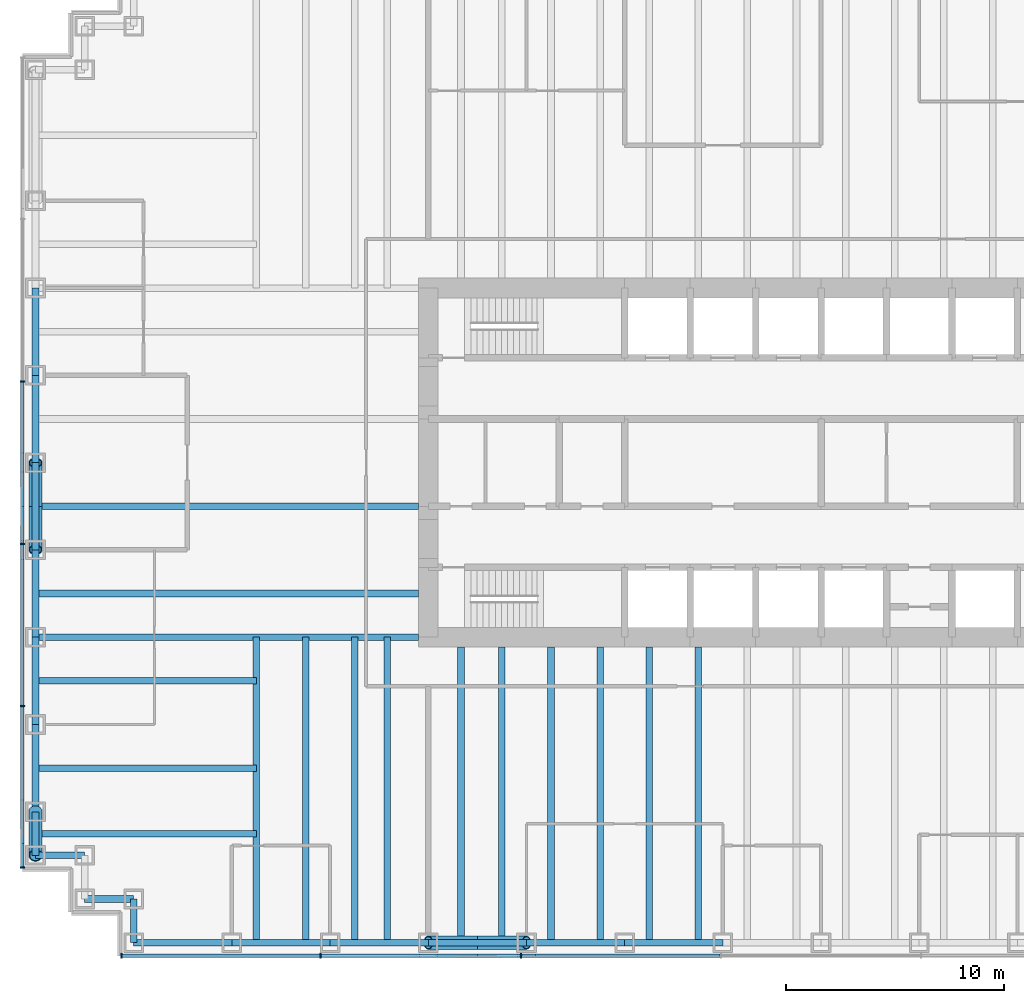
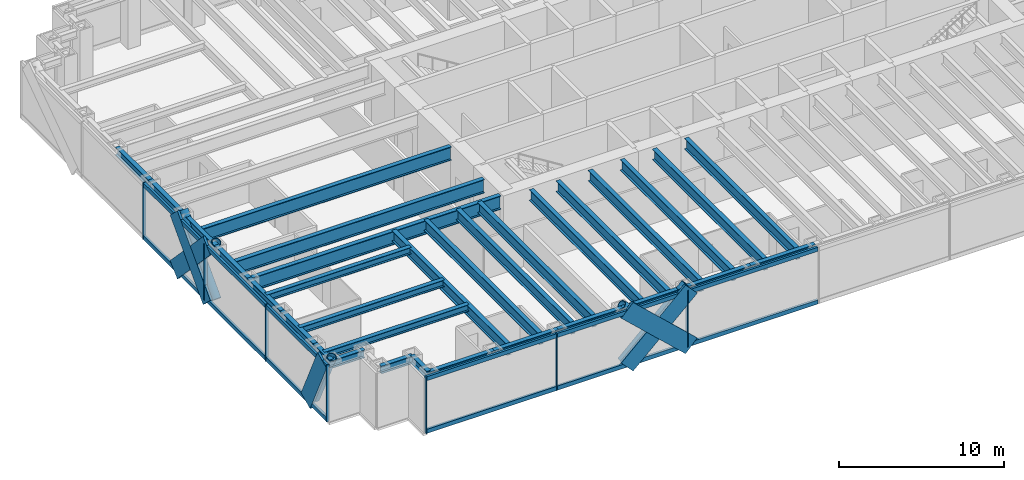
# One storey, part 2 of 17: 32 beams, 29 members, 2 elements without a shape of their own.
"""IFC4 building model written with IfcOpenShell, lengths in metres."""

from ifc_helpers import new_model, si_unit, direction, frame, origin, origin_2d, place, context, subcontext, project, spatial, rectangle, hollow_circle, i_section, extrude, material, material_profile, profile_set, type_object, element, aggregate, save


model = new_model("IFC4")

# Units and contexts
model_context = context("Model", 3, precision=1e-05, world=origin(), true_north=direction((0.0, 1.0)))
body_context = subcontext(model_context, "Body", "Model", "MODEL_VIEW")
ifc_project = project(units=[si_unit("LENGTHUNIT", "METRE"), si_unit("AREAUNIT", "SQUARE_METRE"), si_unit("VOLUMEUNIT", "CUBIC_METRE"), si_unit("PLANEANGLEUNIT", "RADIAN"), si_unit("MASSUNIT", "GRAM", prefix="KILO")], contexts=[model_context])

# Site, building, storey
site_placement = place(None, origin())
site = spatial("IfcSite", under=ifc_project, at=site_placement, CompositionType="ELEMENT")
building_placement = place(site_placement, origin())
building = spatial("IfcBuilding", under=site, at=building_placement, Name="Rheinbord Bourse Tower", CompositionType="ELEMENT")
storey_placement = place(building_placement, frame((0.0, 0.0, 138.300048828125)))
storey = spatial("IfcBuildingStorey", under=building, at=storey_placement, Name="L30", CompositionType="ELEMENT", Elevation=138.300048828125)

# Curtain wall, members
ifc_material_1 = material(Name="Dark glass and black aluminium", Category="aluminium")
curtain_wall_type = type_object("IfcCurtainWallType", Name="CW2 DARK GLASS CURTAIN WALL", PredefinedType="USERDEFINED", material=ifc_material_1)
curtain_wall_1_placement = place(storey_placement, origin())
curtain_wall_1 = element("IfcCurtainWall", 1, at=curtain_wall_1_placement, inside=storey, type_object=curtain_wall_type, Name="Curtain wall CW2 S L30", ObjectType="UNITISED CURTAIN WALL", PredefinedType="USERDEFINED")
ifc_material_2 = material(Name="Black anodised aluminium", Category="aluminium")
ifc_material_profile_1 = material_profile(ifc_material_2, rectangle(XDim=0.159912109375, YDim=1.2099609375, at=origin_2d()), Name="CW2 DIAGONAL MULLION 1210x160")
ifc_profile_set_1 = profile_set([ifc_material_profile_1], Name="Black anodised aluminium")
member_type_1 = type_object("IfcMemberType", Name="CW2 BLACK DIAGONAL MULLION", PredefinedType="USERDEFINED", material=ifc_profile_set_1)
member_1_placement = place(storey_placement, frame((18.0, 1.39990234375, 0.0), z_axis=(0.73105922506, 0.0, 0.682314010889), x_axis=(0.0, 1.0, 0.0)))
member_1 = element("IfcMember", 2, at=member_1_placement, type_object=member_type_1, Name="CW2 diagonal mullion a", ObjectType="DIAGONAL MULLION", PredefinedType="USERDEFINED", context=body_context, shape_type="SweptSolid", body=[
    extrude(rectangle(XDim=0.159912109375, YDim=1.2099609375, at=origin_2d()), origin(), (0.0, 0.0, 1.0), 6.155517578125),
])
member_2_placement = place(storey_placement, frame((22.5, 1.39990234375, 0.0), z_axis=(-0.73105922506, 0.0, 0.682314010889), x_axis=(0.0, -1.0, 0.0)))
member_2 = element("IfcMember", 3, at=member_2_placement, type_object=member_type_1, Name="CW2 diagonal mullion d", ObjectType="DIAGONAL MULLION", PredefinedType="USERDEFINED", context=body_context, shape_type="SweptSolid", body=[
    extrude(rectangle(XDim=0.159912109375, YDim=1.2099609375, at=origin_2d()), origin(), (0.0, 0.0, 1.0), 6.155517578125),
])

curtain_wall_2_placement = place(storey_placement, origin())
curtain_wall_2 = element("IfcCurtainWall", 4, at=curtain_wall_2_placement, inside=storey, type_object=curtain_wall_type, Name="Curtain wall CW2 W L30", ObjectType="UNITISED CURTAIN WALL", PredefinedType="USERDEFINED")
member_3_placement = place(storey_placement, frame((-0.60009765625, 24.0, 0.0), z_axis=(0.0, -0.689659376744, 0.724133926887), x_axis=(1.0, 0.0, 0.0)))
member_3 = element("IfcMember", 5, at=member_3_placement, type_object=member_type_1, Name="CW2 diagonal mullion a", ObjectType="DIAGONAL MULLION", PredefinedType="USERDEFINED", context=body_context, shape_type="SweptSolid", body=[
    extrude(rectangle(XDim=0.159912109375, YDim=1.2099609375, at=origin_2d()), origin(), (0.0, 0.0, 1.0), 5.800048828125),
])
member_4_placement = place(storey_placement, frame((-0.60009765625, 20.0, 0.0), z_axis=(0.0, 0.689659376744, 0.724133926887), x_axis=(-1.0, 0.0, 0.0)))
member_4 = element("IfcMember", 6, at=member_4_placement, type_object=member_type_1, Name="CW2 diagonal mullion b", ObjectType="DIAGONAL MULLION", PredefinedType="USERDEFINED", context=body_context, shape_type="SweptSolid", body=[
    extrude(rectangle(XDim=0.159912109375, YDim=1.2099609375, at=origin_2d()), origin(), (0.0, 0.0, 1.0), 5.800048828125),
])
member_5_placement = place(storey_placement, frame((-0.60009765625, 8.0, 0.0), z_axis=(0.0, -0.429937654825, 0.902858578607), x_axis=(1.0, 0.0, 0.0)))
member_5 = element("IfcMember", 7, at=member_5_placement, type_object=member_type_1, Name="CW2 diagonal mullion c", ObjectType="DIAGONAL MULLION", PredefinedType="USERDEFINED", context=body_context, shape_type="SweptSolid", body=[
    extrude(rectangle(XDim=0.159912109375, YDim=1.2099609375, at=origin_2d()), origin(), (0.0, 0.0, 1.0), 4.65185546875),
])

# Member
ifc_material_3 = material(Name="Black anodised aluminium", Category="aluminium")
ifc_material_profile_2 = material_profile(ifc_material_3, rectangle(XDim=0.219970703125, YDim=0.070068359375, at=origin_2d()), Name="CW2 MULLION 70x220")
ifc_profile_set_2 = profile_set([ifc_material_profile_2], Name="Black anodised aluminium")
member_type_2 = type_object("IfcMemberType", Name="CW2 BLACK MULLION", PredefinedType="MULLION", material=ifc_profile_set_2)
member_6_placement = place(storey_placement, frame((3.93505859375, 1.39990234375, 0.0), z_axis=(0.0, 0.0, 1.0), x_axis=(0.0, 1.0, 0.0)))
member_6 = element("IfcMember", 8, at=member_6_placement, type_object=member_type_2, Name="CW2 mullion 1", PredefinedType="MULLION", context=body_context, shape_type="SweptSolid", body=[
    extrude(rectangle(XDim=0.219970703125, YDim=0.070068359375, at=origin_2d()), origin(), (0.0, 0.0, 1.0), 4.199951171875),
])

member_7_placement = place(storey_placement, frame((13.071533203125, 1.39990234375, 0.0), z_axis=(0.0, 0.0, 1.0), x_axis=(0.0, 1.0, 0.0)))
member_7 = element("IfcMember", 9, at=member_7_placement, type_object=member_type_2, Name="CW2 mullion 2", PredefinedType="MULLION", context=body_context, shape_type="SweptSolid", body=[
    extrude(rectangle(XDim=0.219970703125, YDim=0.070068359375, at=origin_2d()), origin(), (0.0, 0.0, 1.0), 4.199951171875),
])

member_8_placement = place(storey_placement, frame((22.242919921875, 1.39990234375, 0.0), z_axis=(0.0, 0.0, 1.0), x_axis=(0.0, 1.0, 0.0)))
member_8 = element("IfcMember", 10, at=member_8_placement, type_object=member_type_2, Name="CW2 mullion 3", PredefinedType="MULLION", context=body_context, shape_type="SweptSolid", body=[
    extrude(rectangle(XDim=0.219970703125, YDim=0.070068359375, at=origin_2d()), origin(), (0.0, 0.0, 1.0), 4.199951171875),
])

member_9_placement = place(storey_placement, frame((-0.60009765625, 27.719970703125, 0.0), z_axis=(0.0, 0.0, 1.0), x_axis=(1.0, 0.0, 0.0)))
member_9 = element("IfcMember", 11, at=member_9_placement, type_object=member_type_2, Name="CW2 mullion 3", PredefinedType="MULLION", context=body_context, shape_type="SweptSolid", body=[
    extrude(rectangle(XDim=0.219970703125, YDim=0.070068359375, at=origin_2d()), origin(), (0.0, 0.0, 1.0), 4.199951171875),
])

member_10_placement = place(storey_placement, frame((-0.60009765625, 20.280029296875, 0.0), z_axis=(0.0, 0.0, 1.0), x_axis=(1.0, 0.0, 0.0)))
member_10 = element("IfcMember", 12, at=member_10_placement, type_object=member_type_2, Name="CW2 mullion 4", PredefinedType="MULLION", context=body_context, shape_type="SweptSolid", body=[
    extrude(rectangle(XDim=0.219970703125, YDim=0.070068359375, at=origin_2d()), origin(), (0.0, 0.0, 1.0), 4.199951171875),
])

member_11_placement = place(storey_placement, frame((-0.60009765625, 12.840087890625, 0.0), z_axis=(0.0, 0.0, 1.0), x_axis=(1.0, 0.0, 0.0)))
member_11 = element("IfcMember", 13, at=member_11_placement, type_object=member_type_2, Name="CW2 mullion 5", PredefinedType="MULLION", context=body_context, shape_type="SweptSolid", body=[
    extrude(rectangle(XDim=0.219970703125, YDim=0.070068359375, at=origin_2d()), origin(), (0.0, 0.0, 1.0), 4.199951171875),
])

member_12_placement = place(storey_placement, frame((-0.60009765625, 5.43505859375, 0.0), z_axis=(0.0, 0.0, 1.0), x_axis=(1.0, 0.0, 0.0)))
member_12 = element("IfcMember", 14, at=member_12_placement, type_object=member_type_2, Name="CW2 mullion 6", PredefinedType="MULLION", context=body_context, shape_type="SweptSolid", body=[
    extrude(rectangle(XDim=0.219970703125, YDim=0.070068359375, at=origin_2d()), origin(), (0.0, 0.0, 1.0), 4.199951171875),
])

ifc_material_4 = material(Name="Black anodised aluminium", Category="aluminium")
ifc_material_profile_3 = material_profile(ifc_material_4, rectangle(XDim=0.159912109375, YDim=0.300048828125, at=origin_2d()), Name="CW2 TRANSOM 300x160")
ifc_profile_set_3 = profile_set([ifc_material_profile_3], Name="Black anodised aluminium")
member_type_3 = type_object("IfcMemberType", Name="CW2 BLACK TRANSOM", PredefinedType="USERDEFINED", material=ifc_profile_set_3)
member_13_placement = place(storey_placement, frame((3.969970703125, 1.39990234375, 0.14990234375), z_axis=(1.0, 0.0, 0.0), x_axis=(0.0, 1.0, 0.0)))
member_13 = element("IfcMember", 15, at=member_13_placement, type_object=member_type_3, Name="CW2 transom 1.1", ObjectType="TRANSOM", PredefinedType="USERDEFINED", context=body_context, shape_type="SweptSolid", body=[
    extrude(rectangle(XDim=0.159912109375, YDim=0.300048828125, at=origin_2d()), origin(), (0.0, 0.0, 1.0), 9.06640625),
])

member_14_placement = place(storey_placement, frame((3.969970703125, 1.39990234375, 4.050048828125), z_axis=(1.0, 0.0, 0.0), x_axis=(0.0, 1.0, 0.0)))
member_14 = element("IfcMember", 16, at=member_14_placement, type_object=member_type_3, Name="CW2 transom 1.2", ObjectType="TRANSOM", PredefinedType="USERDEFINED", context=body_context, shape_type="SweptSolid", body=[
    extrude(rectangle(XDim=0.159912109375, YDim=0.300048828125, at=origin_2d()), origin(), (0.0, 0.0, 1.0), 9.06640625),
])

member_15_placement = place(storey_placement, frame((13.1064453125, 1.39990234375, 0.14990234375), z_axis=(1.0, 0.0, 0.0), x_axis=(0.0, 1.0, 0.0)))
member_15 = element("IfcMember", 17, at=member_15_placement, type_object=member_type_3, Name="CW2 transom 2.1", ObjectType="TRANSOM", PredefinedType="USERDEFINED", context=body_context, shape_type="SweptSolid", body=[
    extrude(rectangle(XDim=0.159912109375, YDim=0.300048828125, at=origin_2d()), origin(), (0.0, 0.0, 1.0), 9.101318359375),
])

member_16_placement = place(storey_placement, frame((13.1064453125, 1.39990234375, 4.050048828125), z_axis=(1.0, 0.0, 0.0), x_axis=(0.0, 1.0, 0.0)))
member_16 = element("IfcMember", 18, at=member_16_placement, type_object=member_type_3, Name="CW2 transom 2.2", ObjectType="TRANSOM", PredefinedType="USERDEFINED", context=body_context, shape_type="SweptSolid", body=[
    extrude(rectangle(XDim=0.159912109375, YDim=0.300048828125, at=origin_2d()), origin(), (0.0, 0.0, 1.0), 9.101318359375),
])

member_17_placement = place(storey_placement, frame((22.27783203125, 1.39990234375, 0.14990234375), z_axis=(1.0, 0.0, 0.0), x_axis=(0.0, 1.0, 0.0)))
member_17 = element("IfcMember", 19, at=member_17_placement, type_object=member_type_3, Name="CW2 transom 3.1", ObjectType="TRANSOM", PredefinedType="USERDEFINED", context=body_context, shape_type="SweptSolid", body=[
    extrude(rectangle(XDim=0.159912109375, YDim=0.300048828125, at=origin_2d()), origin(), (0.0, 0.0, 1.0), 9.1015625),
])

member_18_placement = place(storey_placement, frame((22.27783203125, 1.39990234375, 4.050048828125), z_axis=(1.0, 0.0, 0.0), x_axis=(0.0, 1.0, 0.0)))
member_18 = element("IfcMember", 20, at=member_18_placement, type_object=member_type_3, Name="CW2 transom 3.2", ObjectType="TRANSOM", PredefinedType="USERDEFINED", context=body_context, shape_type="SweptSolid", body=[
    extrude(rectangle(XDim=0.159912109375, YDim=0.300048828125, at=origin_2d()), origin(), (0.0, 0.0, 1.0), 9.1015625),
])

aggregate(curtain_wall_1, [member_6, member_7, member_8, member_13, member_14, member_15, member_16, member_17, member_18, member_1, member_2])

member_19_placement = place(storey_placement, frame((-0.60009765625, 27.68505859375, 0.14990234375), z_axis=(0.0, -1.0, 0.0), x_axis=(1.0, 0.0, 0.0)))
member_19 = element("IfcMember", 21, at=member_19_placement, type_object=member_type_3, Name="CW2 transom 3.1", ObjectType="TRANSOM", PredefinedType="USERDEFINED", context=body_context, shape_type="SweptSolid", body=[
    extrude(rectangle(XDim=0.159912109375, YDim=0.300048828125, at=origin_2d()), origin(), (0.0, 0.0, 1.0), 7.3701171875),
])

member_20_placement = place(storey_placement, frame((-0.60009765625, 27.68505859375, 4.050048828125), z_axis=(0.0, -1.0, 0.0), x_axis=(1.0, 0.0, 0.0)))
member_20 = element("IfcMember", 22, at=member_20_placement, type_object=member_type_3, Name="CW2 transom 3.2", ObjectType="TRANSOM", PredefinedType="USERDEFINED", context=body_context, shape_type="SweptSolid", body=[
    extrude(rectangle(XDim=0.159912109375, YDim=0.300048828125, at=origin_2d()), origin(), (0.0, 0.0, 1.0), 7.3701171875),
])

member_21_placement = place(storey_placement, frame((-0.60009765625, 20.2451171875, 0.14990234375), z_axis=(0.0, -1.0, 0.0), x_axis=(1.0, 0.0, 0.0)))
member_21 = element("IfcMember", 23, at=member_21_placement, type_object=member_type_3, Name="CW2 transom 4.1", ObjectType="TRANSOM", PredefinedType="USERDEFINED", context=body_context, shape_type="SweptSolid", body=[
    extrude(rectangle(XDim=0.159912109375, YDim=0.300048828125, at=origin_2d()), origin(), (0.0, 0.0, 1.0), 7.3701171875),
])

member_22_placement = place(storey_placement, frame((-0.60009765625, 20.2451171875, 4.050048828125), z_axis=(0.0, -1.0, 0.0), x_axis=(1.0, 0.0, 0.0)))
member_22 = element("IfcMember", 24, at=member_22_placement, type_object=member_type_3, Name="CW2 transom 4.2", ObjectType="TRANSOM", PredefinedType="USERDEFINED", context=body_context, shape_type="SweptSolid", body=[
    extrude(rectangle(XDim=0.159912109375, YDim=0.300048828125, at=origin_2d()), origin(), (0.0, 0.0, 1.0), 7.3701171875),
])

member_23_placement = place(storey_placement, frame((-0.60009765625, 12.804931640625, 0.14990234375), z_axis=(0.0, -1.0, 0.0), x_axis=(1.0, 0.0, 0.0)))
member_23 = element("IfcMember", 25, at=member_23_placement, type_object=member_type_3, Name="CW2 transom 5.1", ObjectType="TRANSOM", PredefinedType="USERDEFINED", context=body_context, shape_type="SweptSolid", body=[
    extrude(rectangle(XDim=0.159912109375, YDim=0.300048828125, at=origin_2d()), origin(), (0.0, 0.0, 1.0), 7.3349609375),
])

member_24_placement = place(storey_placement, frame((-0.60009765625, 12.804931640625, 4.050048828125), z_axis=(0.0, -1.0, 0.0), x_axis=(1.0, 0.0, 0.0)))
member_24 = element("IfcMember", 26, at=member_24_placement, type_object=member_type_3, Name="CW2 transom 5.2", ObjectType="TRANSOM", PredefinedType="USERDEFINED", context=body_context, shape_type="SweptSolid", body=[
    extrude(rectangle(XDim=0.159912109375, YDim=0.300048828125, at=origin_2d()), origin(), (0.0, 0.0, 1.0), 7.3349609375),
])

aggregate(curtain_wall_2, [member_9, member_10, member_11, member_12, member_19, member_20, member_21, member_22, member_23, member_24, member_3, member_4, member_5])

# Beams
ifc_material_5 = material(Name="Steel S460", Category="steel")
ifc_material_profile_4 = material_profile(ifc_material_5, i_section(OverallWidth=0.302001953125, OverallDepth=1.008056640625, WebThickness=0.02099609375, FlangeThickness=0.0400390625, at=origin_2d()), Name="HEM 1000")
ifc_profile_set_4 = profile_set([ifc_material_profile_4], Name="Steel S460")
beam_type_1 = type_object("IfcBeamType", Name="END BEAM HEM 1000", PredefinedType="BEAM", material=ifc_profile_set_4)
for number, where, z_axis, x_axis, name in (
    (27, (0.0, 18.0, 3.535888671875), (1.0, 0.0, 0.0), (0.0, 1.0, 0.0), "End beam west 18 L31"),
    (28, (0.0, 22.0, 3.535888671875), (1.0, 0.0, 0.0), (0.0, 1.0, 0.0), "End beam west 22 L31"),
):
    element("IfcBeam", number, at=place(storey_placement, frame(where, z_axis=z_axis, x_axis=x_axis)), inside=storey, type_object=beam_type_1, Name=name, PredefinedType="BEAM", context=body_context, shape_type="SweptSolid", body=[
        extrude(i_section(OverallWidth=0.302001953125, OverallDepth=1.008056640625, WebThickness=0.02099609375, FlangeThickness=0.0400390625, at=origin_2d()), origin(), (0.0, 0.0, 1.0), 17.550048828125),
    ])
ifc_material_6 = material(Name="Steel S460", Category="steel")
ifc_material_profile_5 = material_profile(ifc_material_6, i_section(OverallWidth=0.300048828125, OverallDepth=0.800048828125, WebThickness=0.017578125, FlangeThickness=0.032958984375, at=origin_2d()), Name="HEB 800")
ifc_profile_set_5 = profile_set([ifc_material_profile_5], Name="Steel S460")
beam_type_2 = type_object("IfcBeamType", Name="FLOOR BEAM HEB 800", PredefinedType="BEAM", material=ifc_profile_set_5)
for number, where, z_axis, x_axis, name in (
    (29, (10.125, 2.0, 3.639892578125), (0.0, 1.0, 0.0), (-1.0, 0.0, 0.0), "Floor beam S-9a L31"),
    (30, (12.375, 2.0, 3.639892578125), (0.0, 1.0, 0.0), (-1.0, 0.0, 0.0), "Floor beam S-9b L31"),
    (31, (14.625, 2.0, 3.639892578125), (0.0, 1.0, 0.0), (-1.0, 0.0, 0.0), "Floor beam S-13.5a L31"),
    (32, (16.125, 2.0, 3.639892578125), (0.0, 1.0, 0.0), (-1.0, 0.0, 0.0), "Floor beam S-13.5b L31"),
):
    element("IfcBeam", number, at=place(storey_placement, frame(where, z_axis=z_axis, x_axis=x_axis)), inside=storey, type_object=beam_type_2, Name=name, PredefinedType="BEAM", context=body_context, shape_type="SweptSolid", body=[
        extrude(i_section(OverallWidth=0.300048828125, OverallDepth=0.800048828125, WebThickness=0.017578125, FlangeThickness=0.032958984375, at=origin_2d()), origin(), (0.0, 0.0, 1.0), 14.0),
    ])
for number, where, z_axis, x_axis, name in (
    (33, (19.5, 2.0, 3.639892578125), (0.0, 1.0, 0.0), (-1.0, 0.0, 0.0), "Floor beam S-18a L31"),
    (34, (21.375, 2.0, 3.639892578125), (0.0, 1.0, 0.0), (-1.0, 0.0, 0.0), "Floor beam S-18b L31"),
    (35, (23.625, 2.0, 3.639892578125), (0.0, 1.0, 0.0), (-1.0, 0.0, 0.0), "Floor beam S-22.5a L31"),
    (36, (25.875, 2.0, 3.639892578125), (0.0, 1.0, 0.0), (-1.0, 0.0, 0.0), "Floor beam S-22.5b L31"),
    (37, (28.125, 2.0, 3.639892578125), (0.0, 1.0, 0.0), (-1.0, 0.0, 0.0), "Floor beam S-27a L31"),
    (38, (30.375, 2.0, 3.639892578125), (0.0, 1.0, 0.0), (-1.0, 0.0, 0.0), "Floor beam S-27b L31"),
):
    element("IfcBeam", number, at=place(storey_placement, frame(where, z_axis=z_axis, x_axis=x_axis)), inside=storey, type_object=beam_type_2, Name=name, PredefinedType="BEAM", context=body_context, shape_type="SweptSolid", body=[
        extrude(i_section(OverallWidth=0.300048828125, OverallDepth=0.800048828125, WebThickness=0.017578125, FlangeThickness=0.032958984375, at=origin_2d()), origin(), (0.0, 0.0, 1.0), 13.550048828125),
    ])
ifc_material_7 = material(Name="Steel S460", Category="steel")
ifc_material_profile_6 = material_profile(ifc_material_7, i_section(OverallWidth=0.302001953125, OverallDepth=1.008056640625, WebThickness=0.02099609375, FlangeThickness=0.0400390625, at=origin_2d()), Name="HEM 1000")
ifc_profile_set_6 = profile_set([ifc_material_profile_6], Name="Steel S460")
beam_type_3 = type_object("IfcBeamType", Name="GIRDER HEM 1000", PredefinedType="BEAM", material=ifc_profile_set_6)
beam_1_placement = place(storey_placement, frame((0.0, 16.0, 3.535888671875), z_axis=(1.0, 0.0, 0.0), x_axis=(0.0, 1.0, 0.0)))
element("IfcBeam", 39, at=beam_1_placement, inside=storey, type_object=beam_type_3, Name="Girder west 16 L31", PredefinedType="BEAM", context=body_context, shape_type="SweptSolid", body=[
    extrude(i_section(OverallWidth=0.302001953125, OverallDepth=1.008056640625, WebThickness=0.02099609375, FlangeThickness=0.0400390625, at=origin_2d()), origin(), (0.0, 0.0, 1.0), 17.550048828125),
])

# Members
ifc_material_8 = material(Name="Steel S460", Category="steel")
ifc_material_profile_7 = material_profile(ifc_material_8, hollow_circle(Radius=0.304931640625, WallThickness=0.0400390625, at=origin_2d()), Name="CHS 610x40")
ifc_profile_set_7 = profile_set([ifc_material_profile_7], Name="Steel S460")
member_type_4 = type_object("IfcMemberType", Name="MEGABRACE CHS 610x40", PredefinedType="BRACE", material=ifc_profile_set_7)
for number, where, z_axis, x_axis, name in (
    (40, (18.0, 2.0, 0.0), (0.73105922506, 0.0, 0.682314010889), (0.0, 1.0, 0.0), "Megabrace S face line a L30"),
    (41, (22.5, 2.0, 0.0), (-0.73105922506, 0.0, 0.682314010889), (0.0, -1.0, 0.0), "Megabrace S face line d L30"),
):
    element("IfcMember", number, at=place(storey_placement, frame(where, z_axis=z_axis, x_axis=x_axis)), inside=storey, type_object=member_type_4, Name=name, PredefinedType="BRACE", context=body_context, shape_type="SweptSolid", body=[
        extrude(hollow_circle(Radius=0.304931640625, WallThickness=0.0400390625, at=origin_2d()), origin(), (0.0, 0.0, 1.0), 6.155517578125),
    ])
for number, where, z_axis, x_axis, name in (
    (42, (0.0, 24.0, 0.0), (0.0, -0.689659376744, 0.724133926887), (1.0, 0.0, 0.0), "Megabrace W face line a L30"),
    (43, (0.0, 20.0, 0.0), (0.0, 0.689659376744, 0.724133926887), (-1.0, 0.0, 0.0), "Megabrace W face line b L30"),
):
    element("IfcMember", number, at=place(storey_placement, frame(where, z_axis=z_axis, x_axis=x_axis)), inside=storey, type_object=member_type_4, Name=name, PredefinedType="BRACE", context=body_context, shape_type="SweptSolid", body=[
        extrude(hollow_circle(Radius=0.304931640625, WallThickness=0.0400390625, at=origin_2d()), origin(), (0.0, 0.0, 1.0), 5.800048828125),
    ])
member_25_placement = place(storey_placement, frame((0.0, 8.0, 0.0), z_axis=(0.0, -0.429937654825, 0.902858578607), x_axis=(1.0, 0.0, 0.0)))
element("IfcMember", 44, at=member_25_placement, inside=storey, type_object=member_type_4, Name="Megabrace W face line c L30", PredefinedType="BRACE", context=body_context, shape_type="SweptSolid", body=[
    extrude(hollow_circle(Radius=0.304931640625, WallThickness=0.0400390625, at=origin_2d()), origin(), (0.0, 0.0, 1.0), 4.65185546875),
])

# Beams
ifc_material_9 = material(Name="Steel S460", Category="steel")
ifc_material_profile_8 = material_profile(ifc_material_9, i_section(OverallWidth=0.305908203125, OverallDepth=0.572021484375, WebThickness=0.02099609375, FlangeThickness=0.0400390625, at=origin_2d()), Name="HEM 550")
ifc_profile_set_8 = profile_set([ifc_material_profile_8], Name="Steel S460")
beam_type_4 = type_object("IfcBeamType", Name="SPANDREL HEM 550", PredefinedType="SPANDREL", material=ifc_profile_set_8)
for number, where, z_axis, x_axis, name in (
    (45, (4.5, 2.0, 3.75390625), (1.0, 0.0, 0.0), (0.0, 1.0, 0.0), "Spandrel SW-E-S-9 under L31"),
    (46, (9.0, 2.0, 3.75390625), (1.0, 0.0, 0.0), (0.0, 1.0, 0.0), "Spandrel S-9-S-13.5 under L31"),
    (47, (13.5, 2.0, 3.75390625), (1.0, 0.0, 0.0), (0.0, 1.0, 0.0), "Spandrel S-13.5-S-18 under L31"),
    (48, (18.0, 2.0, 3.75390625), (1.0, 0.0, 0.0), (0.0, 1.0, 0.0), "Spandrel S-18-S-22.5 under L31"),
    (49, (22.5, 2.0, 3.75390625), (1.0, 0.0, 0.0), (0.0, 1.0, 0.0), "Spandrel S-22.5-S-27 under L31"),
    (50, (27.0, 2.0, 3.75390625), (1.0, 0.0, 0.0), (0.0, 1.0, 0.0), "Spandrel S-27-S-31.5 under L31"),
):
    element("IfcBeam", number, at=place(storey_placement, frame(where, z_axis=z_axis, x_axis=x_axis)), inside=storey, type_object=beam_type_4, Name=name, PredefinedType="SPANDREL", context=body_context, shape_type="SweptSolid", body=[
        extrude(i_section(OverallWidth=0.305908203125, OverallDepth=0.572021484375, WebThickness=0.02099609375, FlangeThickness=0.0400390625, at=origin_2d()), origin(), (0.0, 0.0, 1.0), 4.5),
    ])
for number, where, z_axis, x_axis, name in (
    (51, (0.0, 32.0, 3.75390625), (0.0, -1.0, 0.0), (1.0, 0.0, 0.0), "Spandrel W-32-W-28 under L31"),
    (52, (0.0, 28.0, 3.75390625), (0.0, -1.0, 0.0), (1.0, 0.0, 0.0), "Spandrel W-28-W-24 under L31"),
    (53, (0.0, 24.0, 3.75390625), (0.0, -1.0, 0.0), (1.0, 0.0, 0.0), "Spandrel W-24-W-20 under L31"),
    (54, (0.0, 20.0, 3.75390625), (0.0, -1.0, 0.0), (1.0, 0.0, 0.0), "Spandrel W-20-W-16 under L31"),
    (55, (0.0, 16.0, 3.75390625), (0.0, -1.0, 0.0), (1.0, 0.0, 0.0), "Spandrel W-16-W-12 under L31"),
    (56, (0.0, 12.0, 3.75390625), (0.0, -1.0, 0.0), (1.0, 0.0, 0.0), "Spandrel W-12-W-8 under L31"),
):
    element("IfcBeam", number, at=place(storey_placement, frame(where, z_axis=z_axis, x_axis=x_axis)), inside=storey, type_object=beam_type_4, Name=name, PredefinedType="SPANDREL", context=body_context, shape_type="SweptSolid", body=[
        extrude(i_section(OverallWidth=0.305908203125, OverallDepth=0.572021484375, WebThickness=0.02099609375, FlangeThickness=0.0400390625, at=origin_2d()), origin(), (0.0, 0.0, 1.0), 4.0),
    ])
beam_2_placement = place(storey_placement, frame((0.0, 8.0, 3.75390625), z_axis=(0.0, -1.0, 0.0), x_axis=(1.0, 0.0, 0.0)))
element("IfcBeam", 57, at=beam_2_placement, inside=storey, type_object=beam_type_4, Name="Spandrel W-8-SW-A under L31", PredefinedType="SPANDREL", context=body_context, shape_type="SweptSolid", body=[
    extrude(i_section(OverallWidth=0.305908203125, OverallDepth=0.572021484375, WebThickness=0.02099609375, FlangeThickness=0.0400390625, at=origin_2d()), origin(), (0.0, 0.0, 1.0), 2.0),
])
for number, where, z_axis, x_axis, name in (
    (58, (0.0, 6.0, 3.75390625), (1.0, 0.0, 0.0), (0.0, 1.0, 0.0), "Spandrel SW-A-SW-B under L31"),
    (59, (2.25, 4.0, 3.75390625), (1.0, 0.0, 0.0), (0.0, 1.0, 0.0), "Spandrel SW-C-SW-D under L31"),
):
    element("IfcBeam", number, at=place(storey_placement, frame(where, z_axis=z_axis, x_axis=x_axis)), inside=storey, type_object=beam_type_4, Name=name, PredefinedType="SPANDREL", context=body_context, shape_type="SweptSolid", body=[
        extrude(i_section(OverallWidth=0.305908203125, OverallDepth=0.572021484375, WebThickness=0.02099609375, FlangeThickness=0.0400390625, at=origin_2d()), origin(), (0.0, 0.0, 1.0), 2.25),
    ])
beam_3_placement = place(storey_placement, frame((4.5, 4.0, 3.75390625), z_axis=(0.0, -1.0, 0.0), x_axis=(1.0, 0.0, 0.0)))
element("IfcBeam", 60, at=beam_3_placement, inside=storey, type_object=beam_type_4, Name="Spandrel SW-D-SW-E under L31", PredefinedType="SPANDREL", context=body_context, shape_type="SweptSolid", body=[
    extrude(i_section(OverallWidth=0.305908203125, OverallDepth=0.572021484375, WebThickness=0.02099609375, FlangeThickness=0.0400390625, at=origin_2d()), origin(), (0.0, 0.0, 1.0), 2.0),
])
ifc_material_10 = material(Name="Steel S460", Category="steel")
ifc_material_profile_9 = material_profile(ifc_material_10, i_section(OverallWidth=0.300048828125, OverallDepth=0.5, WebThickness=0.014404296875, FlangeThickness=0.028076171875, at=origin_2d()), Name="HEB 500")
ifc_profile_set_9 = profile_set([ifc_material_profile_9], Name="Steel S460")
beam_type_5 = type_object("IfcBeamType", Name="TIE BEAM HEB 500", PredefinedType="JOIST", material=ifc_profile_set_9)
for number, where, z_axis, x_axis, name in (
    (61, (0.0, 7.0, 3.7900390625), (1.0, 0.0, 0.0), (0.0, 1.0, 0.0), "Tie west 7 L31"),
    (62, (0.0, 10.0, 3.7900390625), (1.0, 0.0, 0.0), (0.0, 1.0, 0.0), "Tie west 10 L31"),
    (63, (0.0, 14.0, 3.7900390625), (1.0, 0.0, 0.0), (0.0, 1.0, 0.0), "Tie west 14 L31"),
):
    element("IfcBeam", number, at=place(storey_placement, frame(where, z_axis=z_axis, x_axis=x_axis)), inside=storey, type_object=beam_type_5, Name=name, PredefinedType="JOIST", context=body_context, shape_type="SweptSolid", body=[
        extrude(i_section(OverallWidth=0.300048828125, OverallDepth=0.5, WebThickness=0.014404296875, FlangeThickness=0.028076171875, at=origin_2d()), origin(), (0.0, 0.0, 1.0), 10.125),
    ])

save(model, "model.ifc")
